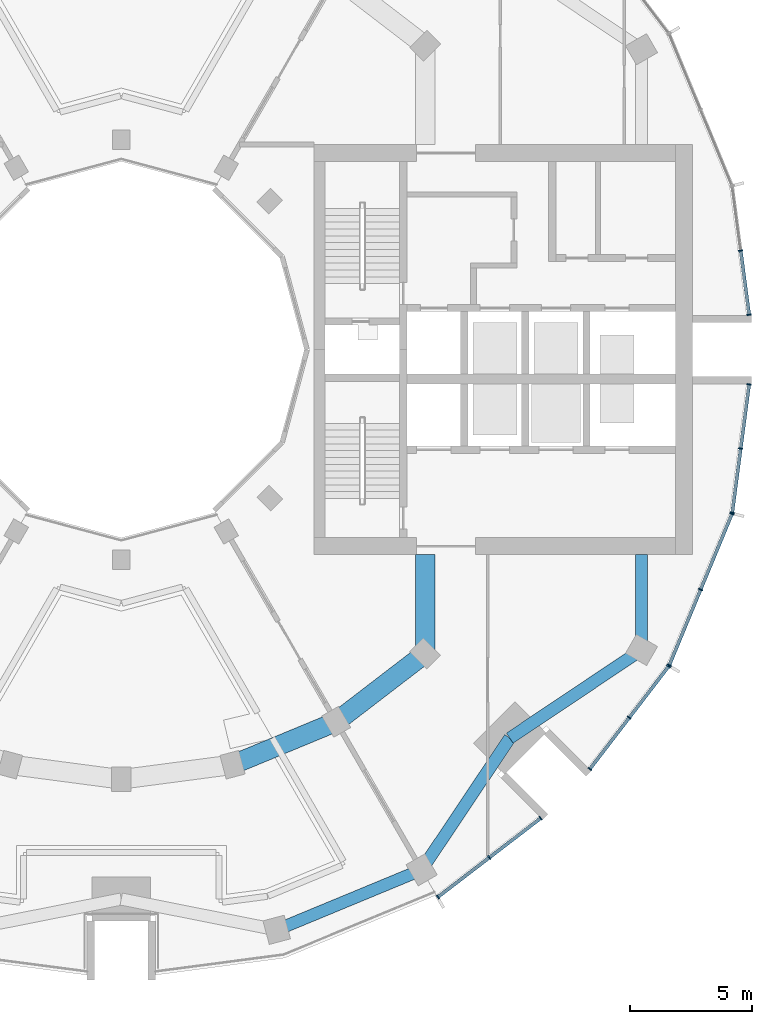
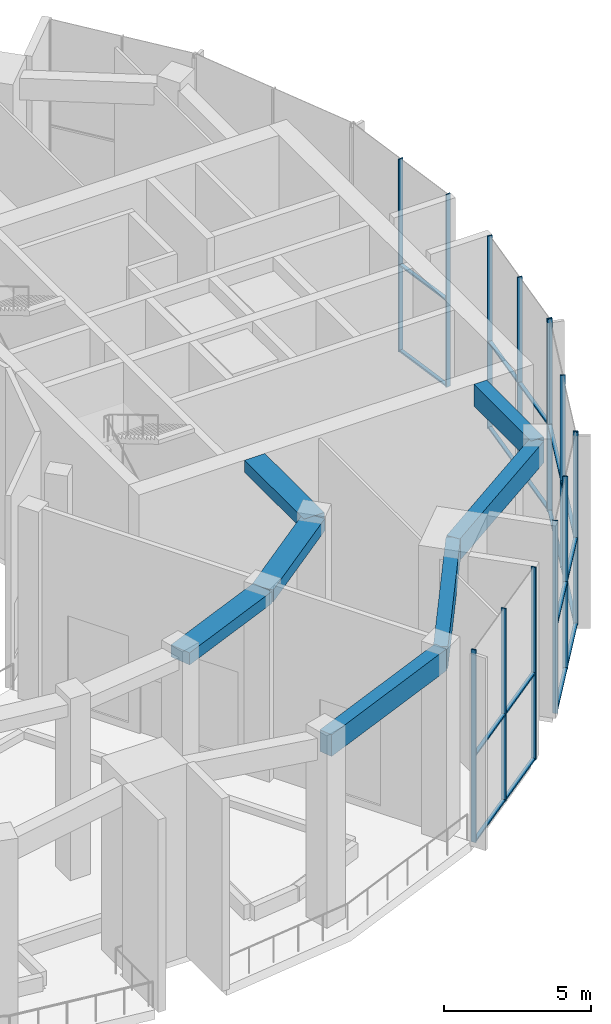
# One storey, part 5 of 18: 32 members, 7 beams, 5 elements without a shape of their own.
"""IFC4 building model written with IfcOpenShell, lengths in metres."""

from ifc_helpers import new_model, si_unit, direction, frame, origin, origin_2d, place, context, subcontext, project, spatial, rectangle, extrude, material, layer, layer_set, material_profile, profile_set, type_object, element, aggregate, save


model = new_model("IFC4")

# Units and contexts
model_context = context("Model", 3, precision=1e-05, world=origin(), true_north=direction((0.0, 1.0)))
body_context = subcontext(model_context, "Body", "Model", "MODEL_VIEW")
ifc_project = project(units=[si_unit("LENGTHUNIT", "METRE"), si_unit("AREAUNIT", "SQUARE_METRE"), si_unit("VOLUMEUNIT", "CUBIC_METRE"), si_unit("PLANEANGLEUNIT", "RADIAN"), si_unit("MASSUNIT", "GRAM", prefix="KILO")], contexts=[model_context])

# Site, building, storey
site_placement = place(None, origin())
site = spatial("IfcSite", under=ifc_project, at=site_placement, CompositionType="ELEMENT")
building_placement = place(site_placement, origin())
building = spatial("IfcBuilding", under=site, at=building_placement, Name="Torre Brocal", CompositionType="ELEMENT")
storey_placement = place(building_placement, frame((0.0, 0.0, 149.699951171875)))
storey = spatial("IfcBuildingStorey", under=building, at=storey_placement, Name="L35", CompositionType="ELEMENT", Elevation=149.699951171875)

# Curtain wall, members
ifc_material_1 = material(Name="Aluminium and glass", Category="aluminium")
ifc_layer = layer(ifc_material_1, 0.199951171875)
ifc_layer_set = layer_set([ifc_layer], Name="Aluminium and glass")
curtain_wall_type = type_object("IfcCurtainWallType", Name="CW-4 CURTAIN WALL 8000 HIGH", PredefinedType="NOTDEFINED", material=ifc_layer_set)
curtain_wall_1_placement = place(storey_placement, origin())
curtain_wall_1 = element("IfcCurtainWall", 1, at=curtain_wall_1_placement, inside=storey, type_object=curtain_wall_type, Name="CW-4 RUN 1", PredefinedType="NOTDEFINED")
ifc_material_2 = material(Name="Aluminium, dark anodised", Category="aluminium")
ifc_material_profile_1 = material_profile(ifc_material_2, rectangle(XDim=0.179931640625, YDim=0.050048828125, at=origin_2d()), Name="CW-4 MULLION 50X180")
ifc_profile_set_1 = profile_set([ifc_material_profile_1], Name="Aluminium, dark anodised")
member_type_1 = type_object("IfcMemberType", Name="CW-4 MULLION 50X180", PredefinedType="MULLION", material=ifc_profile_set_1)
member_1_placement = place(storey_placement, frame((105.711669921875, 76.4248046875, 0.0), z_axis=(0.0, 0.0, 1.0), x_axis=(-0.991444861374, -0.13052619222, 0.0)))
member_1 = element("IfcMember", 2, at=member_1_placement, type_object=member_type_1, Name="CW4-1 mullion 1", PredefinedType="MULLION", context=body_context, shape_type="SweptSolid", body=[
    extrude(rectangle(XDim=0.179931640625, YDim=0.050048828125, at=origin_2d()), origin(), (0.0, 0.0, 1.0), 8.0),
])
member_2_placement = place(storey_placement, frame((105.36572265625, 79.051513671875, 0.0), z_axis=(0.0, 0.0, 1.0), x_axis=(-0.991444861374, -0.13052619222, 0.0)))
member_2 = element("IfcMember", 3, at=member_2_placement, type_object=member_type_1, Name="CW4-1 mullion 2", PredefinedType="MULLION", context=body_context, shape_type="SweptSolid", body=[
    extrude(rectangle(XDim=0.179931640625, YDim=0.050048828125, at=origin_2d()), origin(), (0.0, 0.0, 1.0), 8.0),
])

curtain_wall_2_placement = place(storey_placement, origin())
curtain_wall_2 = element("IfcCurtainWall", 4, at=curtain_wall_2_placement, inside=storey, type_object=curtain_wall_type, Name="CW-4 RUN 21", PredefinedType="NOTDEFINED")
member_3_placement = place(storey_placement, frame((92.969482421875, 52.5859375, 0.0), z_axis=(0.0, 0.0, 1.0), x_axis=(-0.60876142905, 0.793353340259, 0.0)))
member_3 = element("IfcMember", 5, at=member_3_placement, type_object=member_type_1, Name="CW4-1 mullion 1", PredefinedType="MULLION", context=body_context, shape_type="SweptSolid", body=[
    extrude(rectangle(XDim=0.179931640625, YDim=0.050048828125, at=origin_2d()), origin(), (0.0, 0.0, 1.0), 8.0),
])
member_4_placement = place(storey_placement, frame((95.0712890625, 54.19873046875, 0.0), z_axis=(0.0, 0.0, 1.0), x_axis=(-0.60876142905, 0.793353340259, 0.0)))
member_4 = element("IfcMember", 6, at=member_4_placement, type_object=member_type_1, Name="CW4-1 mullion 2", PredefinedType="MULLION", context=body_context, shape_type="SweptSolid", body=[
    extrude(rectangle(XDim=0.179931640625, YDim=0.050048828125, at=origin_2d()), origin(), (0.0, 0.0, 1.0), 8.0),
])
member_5_placement = place(storey_placement, frame((97.17333984375, 55.811767578125, 0.0), z_axis=(0.0, 0.0, 1.0), x_axis=(-0.60876142905, 0.793353340259, 0.0)))
member_5 = element("IfcMember", 7, at=member_5_placement, type_object=member_type_1, Name="CW4-1 mullion 3", PredefinedType="MULLION", context=body_context, shape_type="SweptSolid", body=[
    extrude(rectangle(XDim=0.179931640625, YDim=0.050048828125, at=origin_2d()), origin(), (0.0, 0.0, 1.0), 8.0),
])

curtain_wall_3_placement = place(storey_placement, origin())
curtain_wall_3 = element("IfcCurtainWall", 8, at=curtain_wall_3_placement, inside=storey, type_object=curtain_wall_type, Name="CW-4 RUN 22", PredefinedType="NOTDEFINED")
member_6_placement = place(storey_placement, frame((99.188232421875, 57.82666015625, 0.0), z_axis=(0.0, 0.0, 1.0), x_axis=(-0.793353340259, 0.60876142905, 0.0)))
member_6 = element("IfcMember", 9, at=member_6_placement, type_object=member_type_1, Name="CW4-1 mullion 1", PredefinedType="MULLION", context=body_context, shape_type="SweptSolid", body=[
    extrude(rectangle(XDim=0.179931640625, YDim=0.050048828125, at=origin_2d()), origin(), (0.0, 0.0, 1.0), 8.0),
])
member_7_placement = place(storey_placement, frame((100.80126953125, 59.9287109375, 0.0), z_axis=(0.0, 0.0, 1.0), x_axis=(-0.793353340259, 0.60876142905, 0.0)))
member_7 = element("IfcMember", 10, at=member_7_placement, type_object=member_type_1, Name="CW4-1 mullion 2", PredefinedType="MULLION", context=body_context, shape_type="SweptSolid", body=[
    extrude(rectangle(XDim=0.179931640625, YDim=0.050048828125, at=origin_2d()), origin(), (0.0, 0.0, 1.0), 8.0),
])
member_8_placement = place(storey_placement, frame((102.4140625, 62.030517578125, 0.0), z_axis=(0.0, 0.0, 1.0), x_axis=(-0.793353340259, 0.60876142905, 0.0)))
member_8 = element("IfcMember", 11, at=member_8_placement, type_object=member_type_1, Name="CW4-1 mullion 3", PredefinedType="MULLION", context=body_context, shape_type="SweptSolid", body=[
    extrude(rectangle(XDim=0.179931640625, YDim=0.050048828125, at=origin_2d()), origin(), (0.0, 0.0, 1.0), 8.0),
])

curtain_wall_4_placement = place(storey_placement, origin())
curtain_wall_4 = element("IfcCurtainWall", 12, at=curtain_wall_4_placement, inside=storey, type_object=curtain_wall_type, Name="CW-4 RUN 23", PredefinedType="NOTDEFINED")
member_9_placement = place(storey_placement, frame((102.43896484375, 62.073486328125, 0.0), z_axis=(0.0, 0.0, 1.0), x_axis=(-0.923879532525, 0.382683432333, 0.0)))
member_9 = element("IfcMember", 13, at=member_9_placement, type_object=member_type_1, Name="CW4-1 mullion 1", PredefinedType="MULLION", context=body_context, shape_type="SweptSolid", body=[
    extrude(rectangle(XDim=0.179931640625, YDim=0.050048828125, at=origin_2d()), origin(), (0.0, 0.0, 1.0), 8.0),
])
member_10_placement = place(storey_placement, frame((103.722900390625, 65.173583984375, 0.0), z_axis=(0.0, 0.0, 1.0), x_axis=(-0.923879532525, 0.382683432333, 0.0)))
member_10 = element("IfcMember", 14, at=member_10_placement, type_object=member_type_1, Name="CW4-1 mullion 2", PredefinedType="MULLION", context=body_context, shape_type="SweptSolid", body=[
    extrude(rectangle(XDim=0.179931640625, YDim=0.050048828125, at=origin_2d()), origin(), (0.0, 0.0, 1.0), 8.0),
])
member_11_placement = place(storey_placement, frame((105.007080078125, 68.273681640625, 0.0), z_axis=(0.0, 0.0, 1.0), x_axis=(-0.923879532525, 0.382683432333, 0.0)))
member_11 = element("IfcMember", 15, at=member_11_placement, type_object=member_type_1, Name="CW4-1 mullion 3", PredefinedType="MULLION", context=body_context, shape_type="SweptSolid", body=[
    extrude(rectangle(XDim=0.179931640625, YDim=0.050048828125, at=origin_2d()), origin(), (0.0, 0.0, 1.0), 8.0),
])

curtain_wall_5_placement = place(storey_placement, origin())
curtain_wall_5 = element("IfcCurtainWall", 16, at=curtain_wall_5_placement, inside=storey, type_object=curtain_wall_type, Name="CW-4 RUN 24", PredefinedType="NOTDEFINED")
member_12_placement = place(storey_placement, frame((105.02001953125, 68.321533203125, 0.0), z_axis=(0.0, 0.0, 1.0), x_axis=(-0.991444861374, 0.13052619222, 0.0)))
member_12 = element("IfcMember", 17, at=member_12_placement, type_object=member_type_1, Name="CW4-1 mullion 1", PredefinedType="MULLION", context=body_context, shape_type="SweptSolid", body=[
    extrude(rectangle(XDim=0.179931640625, YDim=0.050048828125, at=origin_2d()), origin(), (0.0, 0.0, 1.0), 8.0),
])
member_13_placement = place(storey_placement, frame((105.36572265625, 70.948486328125, 0.0), z_axis=(0.0, 0.0, 1.0), x_axis=(-0.991444861374, 0.13052619222, 0.0)))
member_13 = element("IfcMember", 18, at=member_13_placement, type_object=member_type_1, Name="CW4-1 mullion 2", PredefinedType="MULLION", context=body_context, shape_type="SweptSolid", body=[
    extrude(rectangle(XDim=0.179931640625, YDim=0.050048828125, at=origin_2d()), origin(), (0.0, 0.0, 1.0), 8.0),
])
member_14_placement = place(storey_placement, frame((105.711669921875, 73.5751953125, 0.0), z_axis=(0.0, 0.0, 1.0), x_axis=(-0.991444861374, 0.13052619222, 0.0)))
member_14 = element("IfcMember", 19, at=member_14_placement, type_object=member_type_1, Name="CW4-1 mullion 3", PredefinedType="MULLION", context=body_context, shape_type="SweptSolid", body=[
    extrude(rectangle(XDim=0.179931640625, YDim=0.050048828125, at=origin_2d()), origin(), (0.0, 0.0, 1.0), 8.0),
])

# Member
ifc_material_3 = material(Name="Aluminium, dark anodised", Category="aluminium")
ifc_material_profile_2 = material_profile(ifc_material_3, rectangle(XDim=0.139892578125, YDim=0.070068359375, at=origin_2d()), Name="CW-4 TRANSOM 140X70")
ifc_profile_set_2 = profile_set([ifc_material_profile_2], Name="Aluminium, dark anodised")
member_type_2 = type_object("IfcMemberType", Name="CW-4 TRANSOM 140X70", PredefinedType="USERDEFINED", material=ifc_profile_set_2)
member_15_placement = place(storey_placement, frame((105.708251953125, 76.449462890625, 0.03515625), z_axis=(-0.130539539143, 0.991443104127, 0.0), x_axis=(-0.991443104127, -0.130539539143, 0.0)))
member_15 = element("IfcMember", 20, at=member_15_placement, type_object=member_type_2, Name="CW4-1 transom 1.1", ObjectType="TRANSOM", PredefinedType="USERDEFINED", context=body_context, shape_type="SweptSolid", body=[
    extrude(rectangle(XDim=0.139892578125, YDim=0.070068359375, at=origin_2d()), origin(), (0.0, 0.0, 1.0), 2.599609375),
])

member_16_placement = place(storey_placement, frame((105.708251953125, 76.449462890625, 3.60009765625), z_axis=(-0.130539539143, 0.991443104127, 0.0), x_axis=(-0.991443104127, -0.130539539143, 0.0)))
member_16 = element("IfcMember", 21, at=member_16_placement, type_object=member_type_2, Name="CW4-1 transom 1.2", ObjectType="TRANSOM", PredefinedType="USERDEFINED", context=body_context, shape_type="SweptSolid", body=[
    extrude(rectangle(XDim=0.139892578125, YDim=0.070068359375, at=origin_2d()), origin(), (0.0, 0.0, 1.0), 2.599609375),
])

aggregate(curtain_wall_1, [member_1, member_2, member_15, member_16])

member_17_placement = place(storey_placement, frame((92.9892578125, 52.60107421875, 0.03515625), z_axis=(0.793335698171, 0.608784419977, 0.0), x_axis=(-0.608784419977, 0.793335698171, 0.0)))
member_17 = element("IfcMember", 22, at=member_17_placement, type_object=member_type_2, Name="CW4-1 transom 1.1", ObjectType="TRANSOM", PredefinedType="USERDEFINED", context=body_context, shape_type="SweptSolid", body=[
    extrude(rectangle(XDim=0.139892578125, YDim=0.070068359375, at=origin_2d()), origin(), (0.0, 0.0, 1.0), 2.599365234375),
])

member_18_placement = place(storey_placement, frame((92.9892578125, 52.60107421875, 3.60009765625), z_axis=(0.793335698171, 0.608784419977, 0.0), x_axis=(-0.608784419977, 0.793335698171, 0.0)))
member_18 = element("IfcMember", 23, at=member_18_placement, type_object=member_type_2, Name="CW4-1 transom 1.2", ObjectType="TRANSOM", PredefinedType="USERDEFINED", context=body_context, shape_type="SweptSolid", body=[
    extrude(rectangle(XDim=0.139892578125, YDim=0.070068359375, at=origin_2d()), origin(), (0.0, 0.0, 1.0), 2.599365234375),
])

member_19_placement = place(storey_placement, frame((95.09130859375, 54.214111328125, 0.03515625), z_axis=(0.79338105877, 0.608725303881, 0.0), x_axis=(-0.608725303881, 0.79338105877, 0.0)))
member_19 = element("IfcMember", 24, at=member_19_placement, type_object=member_type_2, Name="CW4-1 transom 2.1", ObjectType="TRANSOM", PredefinedType="USERDEFINED", context=body_context, shape_type="SweptSolid", body=[
    extrude(rectangle(XDim=0.139892578125, YDim=0.070068359375, at=origin_2d()), origin(), (0.0, 0.0, 1.0), 2.599365234375),
])

member_20_placement = place(storey_placement, frame((95.09130859375, 54.214111328125, 3.60009765625), z_axis=(0.79338105877, 0.608725303881, 0.0), x_axis=(-0.608725303881, 0.79338105877, 0.0)))
member_20 = element("IfcMember", 25, at=member_20_placement, type_object=member_type_2, Name="CW4-1 transom 2.2", ObjectType="TRANSOM", PredefinedType="USERDEFINED", context=body_context, shape_type="SweptSolid", body=[
    extrude(rectangle(XDim=0.139892578125, YDim=0.070068359375, at=origin_2d()), origin(), (0.0, 0.0, 1.0), 2.599365234375),
])

aggregate(curtain_wall_2, [member_3, member_4, member_5, member_17, member_18, member_19, member_20])

member_21_placement = place(storey_placement, frame((99.20361328125, 57.846435546875, 0.03515625), z_axis=(0.608725303881, 0.79338105877, 0.0), x_axis=(-0.79338105877, 0.608725303881, 0.0)))
member_21 = element("IfcMember", 26, at=member_21_placement, type_object=member_type_2, Name="CW4-1 transom 1.1", ObjectType="TRANSOM", PredefinedType="USERDEFINED", context=body_context, shape_type="SweptSolid", body=[
    extrude(rectangle(XDim=0.139892578125, YDim=0.070068359375, at=origin_2d()), origin(), (0.0, 0.0, 1.0), 2.599365234375),
])

member_22_placement = place(storey_placement, frame((99.20361328125, 57.846435546875, 3.60009765625), z_axis=(0.608725303881, 0.79338105877, 0.0), x_axis=(-0.79338105877, 0.608725303881, 0.0)))
member_22 = element("IfcMember", 27, at=member_22_placement, type_object=member_type_2, Name="CW4-1 transom 1.2", ObjectType="TRANSOM", PredefinedType="USERDEFINED", context=body_context, shape_type="SweptSolid", body=[
    extrude(rectangle(XDim=0.139892578125, YDim=0.070068359375, at=origin_2d()), origin(), (0.0, 0.0, 1.0), 2.599365234375),
])

member_23_placement = place(storey_placement, frame((100.81640625, 59.948486328125, 0.03515625), z_axis=(0.608784419977, 0.793335698171, 0.0), x_axis=(-0.793335698171, 0.608784419977, 0.0)))
member_23 = element("IfcMember", 28, at=member_23_placement, type_object=member_type_2, Name="CW4-1 transom 2.1", ObjectType="TRANSOM", PredefinedType="USERDEFINED", context=body_context, shape_type="SweptSolid", body=[
    extrude(rectangle(XDim=0.139892578125, YDim=0.070068359375, at=origin_2d()), origin(), (0.0, 0.0, 1.0), 2.599365234375),
])

member_24_placement = place(storey_placement, frame((100.81640625, 59.948486328125, 3.60009765625), z_axis=(0.608784419977, 0.793335698171, 0.0), x_axis=(-0.793335698171, 0.608784419977, 0.0)))
member_24 = element("IfcMember", 29, at=member_24_placement, type_object=member_type_2, Name="CW4-1 transom 2.2", ObjectType="TRANSOM", PredefinedType="USERDEFINED", context=body_context, shape_type="SweptSolid", body=[
    extrude(rectangle(XDim=0.139892578125, YDim=0.070068359375, at=origin_2d()), origin(), (0.0, 0.0, 1.0), 2.599365234375),
])

aggregate(curtain_wall_3, [member_6, member_7, member_8, member_21, member_22, member_23, member_24])

member_25_placement = place(storey_placement, frame((102.448486328125, 62.0966796875, 0.03515625), z_axis=(0.382658376168, 0.92388991073, 0.0), x_axis=(-0.92388991073, 0.382658376168, 0.0)))
member_25 = element("IfcMember", 30, at=member_25_placement, type_object=member_type_2, Name="CW4-1 transom 1.1", ObjectType="TRANSOM", PredefinedType="USERDEFINED", context=body_context, shape_type="SweptSolid", body=[
    extrude(rectangle(XDim=0.139892578125, YDim=0.070068359375, at=origin_2d()), origin(), (0.0, 0.0, 1.0), 3.305419921875),
])

member_26_placement = place(storey_placement, frame((102.448486328125, 62.0966796875, 3.60009765625), z_axis=(0.382658376168, 0.92388991073, 0.0), x_axis=(-0.92388991073, 0.382658376168, 0.0)))
member_26 = element("IfcMember", 31, at=member_26_placement, type_object=member_type_2, Name="CW4-1 transom 1.2", ObjectType="TRANSOM", PredefinedType="USERDEFINED", context=body_context, shape_type="SweptSolid", body=[
    extrude(rectangle(XDim=0.139892578125, YDim=0.070068359375, at=origin_2d()), origin(), (0.0, 0.0, 1.0), 3.305419921875),
])

member_27_placement = place(storey_placement, frame((103.732666015625, 65.19677734375, 0.03515625), z_axis=(0.382658376168, 0.92388991073, 0.0), x_axis=(-0.92388991073, 0.382658376168, 0.0)))
member_27 = element("IfcMember", 32, at=member_27_placement, type_object=member_type_2, Name="CW4-1 transom 2.1", ObjectType="TRANSOM", PredefinedType="USERDEFINED", context=body_context, shape_type="SweptSolid", body=[
    extrude(rectangle(XDim=0.139892578125, YDim=0.070068359375, at=origin_2d()), origin(), (0.0, 0.0, 1.0), 3.305419921875),
])

member_28_placement = place(storey_placement, frame((103.732666015625, 65.19677734375, 3.60009765625), z_axis=(0.382658376168, 0.92388991073, 0.0), x_axis=(-0.92388991073, 0.382658376168, 0.0)))
member_28 = element("IfcMember", 33, at=member_28_placement, type_object=member_type_2, Name="CW4-1 transom 2.2", ObjectType="TRANSOM", PredefinedType="USERDEFINED", context=body_context, shape_type="SweptSolid", body=[
    extrude(rectangle(XDim=0.139892578125, YDim=0.070068359375, at=origin_2d()), origin(), (0.0, 0.0, 1.0), 3.305419921875),
])

aggregate(curtain_wall_4, [member_9, member_10, member_11, member_25, member_26, member_27, member_28])

member_29_placement = place(storey_placement, frame((105.023193359375, 68.346435546875, 0.03515625), z_axis=(0.130551694767, 0.991441503566, 0.0), x_axis=(-0.991441503566, 0.130551694767, 0.0)))
member_29 = element("IfcMember", 34, at=member_29_placement, type_object=member_type_2, Name="CW4-1 transom 1.1", ObjectType="TRANSOM", PredefinedType="USERDEFINED", context=body_context, shape_type="SweptSolid", body=[
    extrude(rectangle(XDim=0.139892578125, YDim=0.070068359375, at=origin_2d()), origin(), (0.0, 0.0, 1.0), 2.599365234375),
])

member_30_placement = place(storey_placement, frame((105.023193359375, 68.346435546875, 3.60009765625), z_axis=(0.130551694767, 0.991441503566, 0.0), x_axis=(-0.991441503566, 0.130551694767, 0.0)))
member_30 = element("IfcMember", 35, at=member_30_placement, type_object=member_type_2, Name="CW4-1 transom 1.2", ObjectType="TRANSOM", PredefinedType="USERDEFINED", context=body_context, shape_type="SweptSolid", body=[
    extrude(rectangle(XDim=0.139892578125, YDim=0.070068359375, at=origin_2d()), origin(), (0.0, 0.0, 1.0), 2.599365234375),
])

member_31_placement = place(storey_placement, frame((105.368896484375, 70.97314453125, 0.03515625), z_axis=(0.130539539143, 0.991443104127, 0.0), x_axis=(-0.991443104127, 0.130539539143, 0.0)))
member_31 = element("IfcMember", 36, at=member_31_placement, type_object=member_type_2, Name="CW4-1 transom 2.1", ObjectType="TRANSOM", PredefinedType="USERDEFINED", context=body_context, shape_type="SweptSolid", body=[
    extrude(rectangle(XDim=0.139892578125, YDim=0.070068359375, at=origin_2d()), origin(), (0.0, 0.0, 1.0), 2.599609375),
])

member_32_placement = place(storey_placement, frame((105.368896484375, 70.97314453125, 3.60009765625), z_axis=(0.130539539143, 0.991443104127, 0.0), x_axis=(-0.991443104127, 0.130539539143, 0.0)))
member_32 = element("IfcMember", 37, at=member_32_placement, type_object=member_type_2, Name="CW4-1 transom 2.2", ObjectType="TRANSOM", PredefinedType="USERDEFINED", context=body_context, shape_type="SweptSolid", body=[
    extrude(rectangle(XDim=0.139892578125, YDim=0.070068359375, at=origin_2d()), origin(), (0.0, 0.0, 1.0), 2.599609375),
])

aggregate(curtain_wall_5, [member_12, member_13, member_14, member_29, member_30, member_31, member_32])

# Beams
ifc_material_4 = material(Name="Concrete C50", Category="concrete")
ifc_material_profile_3 = material_profile(ifc_material_4, rectangle(XDim=0.800048828125, YDim=0.5, at=origin_2d()), Name="RC 800X500")
ifc_profile_set_3 = profile_set([ifc_material_profile_3], Name="Concrete C50")
beam_type_1 = type_object("IfcBeamType", Name="RC BEAM 800X500 C50 TOP 7680", PredefinedType="BEAM", material=ifc_profile_set_3)
beam_1_placement = place(storey_placement, frame((84.55517578125, 57.999755859375, 7.429931640625), z_axis=(0.923878240166, 0.382686552348, 0.0), x_axis=(-0.382686552348, 0.923878240166, 0.0)))
element("IfcBeam", 38, at=beam_1_placement, inside=storey, type_object=beam_type_1, Name="Beam BT-23", PredefinedType="BEAM", context=body_context, shape_type="SweptSolid", body=[
    extrude(rectangle(XDim=0.800048828125, YDim=0.5, at=origin_2d()), origin(), (0.0, 0.0, 1.0), 4.5947265625),
])
beam_2_placement = place(storey_placement, frame((88.800048828125, 59.758056640625, 7.429931640625), z_axis=(0.793358265959, 0.6087550097, 0.0), x_axis=(-0.6087550097, 0.793358265959, 0.0)))
element("IfcBeam", 39, at=beam_2_placement, inside=storey, type_object=beam_type_1, Name="Beam BT-23", PredefinedType="BEAM", context=body_context, shape_type="SweptSolid", body=[
    extrude(rectangle(XDim=0.800048828125, YDim=0.5, at=origin_2d()), origin(), (0.0, 0.0, 1.0), 4.594482421875),
])
beam_3_placement = place(storey_placement, frame((92.445068359375, 62.554931640625, 7.429931640625), z_axis=(0.0, 1.0, 0.0), x_axis=(-1.0, 0.0, 0.0)))
element("IfcBeam", 40, at=beam_3_placement, inside=storey, type_object=beam_type_1, Name="Beam BT-23", PredefinedType="BEAM", context=body_context, shape_type="SweptSolid", body=[
    extrude(rectangle(XDim=0.800048828125, YDim=0.5, at=origin_2d()), origin(), (0.0, 0.0, 1.0), 4.045166015625),
])
ifc_material_5 = material(Name="Concrete C50", Category="concrete")
ifc_material_profile_4 = material_profile(ifc_material_5, rectangle(XDim=0.5, YDim=0.89990234375, at=origin_2d()), Name="RC 500X900")
ifc_profile_set_4 = profile_set([ifc_material_profile_4], Name="Concrete C50")
beam_type_2 = type_object("IfcBeamType", Name="RC SPANDREL BEAM 500X900 C50 TOP 7680", PredefinedType="SPANDREL", material=ifc_profile_set_4)
beam_4_placement = place(storey_placement, frame((86.366943359375, 51.23828125, 7.22998046875), z_axis=(0.923882462513, 0.382676358639, 0.0), x_axis=(-0.382676358639, 0.923882462513, 0.0)))
element("IfcBeam", 41, at=beam_4_placement, inside=storey, type_object=beam_type_2, Name="Beam BT-24", PredefinedType="SPANDREL", context=body_context, shape_type="SweptSolid", body=[
    extrude(rectangle(XDim=0.5, YDim=0.89990234375, at=origin_2d()), origin(), (0.0, 0.0, 1.0), 6.421875),
])
for number, where, z_axis, x_axis, name in (
    (42, (92.300048828125, 53.69580078125, 7.22998046875), (0.556157602282, 0.831076844476, 0.0), (-0.831076844476, 0.556157602282, 0.0), "Beam BT-24"),
    (43, (95.909912109375, 59.090087890625, 7.22998046875), (0.831076844476, 0.556157602282, 0.0), (-0.556157602282, 0.831076844476, 0.0), "Beam BT-24"),
):
    element("IfcBeam", number, at=place(storey_placement, frame(where, z_axis=z_axis, x_axis=x_axis)), inside=storey, type_object=beam_type_2, Name=name, PredefinedType="SPANDREL", context=body_context, shape_type="SweptSolid", body=[
        extrude(rectangle(XDim=0.5, YDim=0.89990234375, at=origin_2d()), origin(), (0.0, 0.0, 1.0), 6.49072265625),
    ])
beam_5_placement = place(storey_placement, frame((101.30419921875, 62.699951171875, 7.22998046875), z_axis=(0.0, 1.0, 0.0), x_axis=(-1.0, 0.0, 0.0)))
element("IfcBeam", 44, at=beam_5_placement, inside=storey, type_object=beam_type_2, Name="Beam BT-24", PredefinedType="SPANDREL", context=body_context, shape_type="SweptSolid", body=[
    extrude(rectangle(XDim=0.5, YDim=0.89990234375, at=origin_2d()), origin(), (0.0, 0.0, 1.0), 3.900146484375),
])

save(model, "model.ifc")
